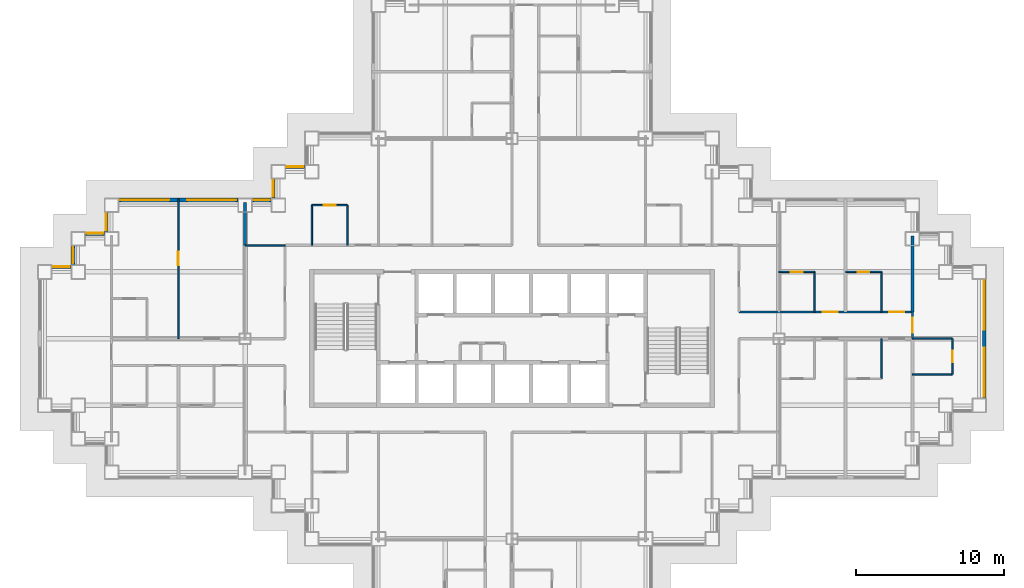
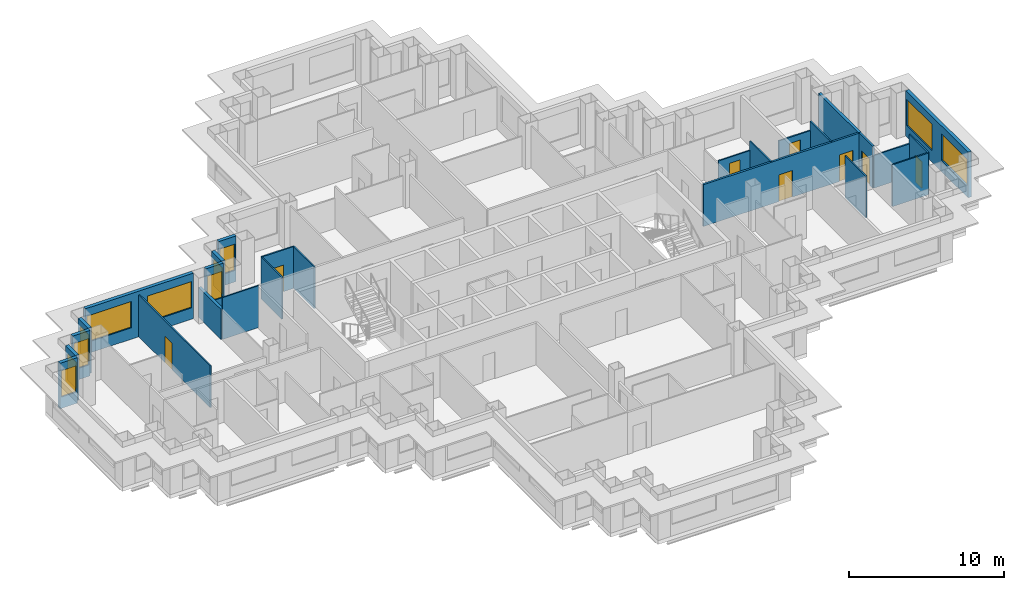
# One storey, part 7 of 15: 26 walls, 11 windows, 8 doors, 19 openings.
"""IFC4 building model written with IfcOpenShell, lengths in metres."""

import ifcopenshell
import ifcopenshell.guid

model = None  # the IFC model being written
_history = None  # IfcOwnerHistory: only IFC2X3 demands one
_inside = {}  # id of a spatial element -> (the spatial element, [elements in it])
_under = {}  # id of a project, library or spatial element -> (it, [spatial elements below it])
_declared = {}  # id of a project -> (the project, [libraries it declares])
_typed = {}  # id of a type object -> (the type object, [elements of that type])
_made_of = {}  # id of a material, layer set ... -> (it, [elements and type objects made of it])


def new_model(schema):
    """Start an empty IFC model of exactly this schema.

    Asked for "IFC4X3", IfcOpenShell would pick the latest addendum, in which some entities
    have other attributes; the version numbers below select the first issue.
    IFC2X3 requires an IfcOwnerHistory on every rooted entity: one is made here for all.
    """
    global model, _history
    if schema == "IFC4X3":
        model = ifcopenshell.file(schema_version=(4, 3, 0, 0))
    else:
        model = ifcopenshell.file(schema=schema)
    _inside.clear()
    _under.clear()
    _declared.clear()
    _typed.clear()
    _made_of.clear()
    _history = None
    if model.schema == "IFC2X3":
        org = make("IfcOrganization", Name="unknown")
        user = make(
            "IfcPersonAndOrganization",
            ThePerson=make("IfcPerson", FamilyName="unknown"),
            TheOrganization=org,
        )
        app = make(
            "IfcApplication",
            ApplicationDeveloper=org,
            Version="unknown",
            ApplicationFullName="unknown",
            ApplicationIdentifier="unknown",
        )
        _history = make(
            "IfcOwnerHistory",
            OwningUser=user,
            OwningApplication=app,
            ChangeAction="ADDED",
            CreationDate=0,
        )
    return model


def make(cls, **values):
    """One entity of the class cls with the attributes given. An attribute that is None is left unset."""
    return model.create_entity(
        cls, **{name: value for name, value in values.items() if value is not None}
    )


def rooted(cls, **values):
    """An entity with a GlobalId (a new one), such as an element, a storey or a relation."""
    return make(cls, GlobalId=ifcopenshell.guid.new(), OwnerHistory=_history, **values)


def si_unit(unit_type, name, prefix=None):
    """IfcSIUnit, for example si_unit("LENGTHUNIT", "METRE", prefix="MILLI")."""
    return make("IfcSIUnit", UnitType=unit_type, Prefix=prefix, Name=name)


def assignment(units):
    """IfcUnitAssignment: the units of a project."""
    return None if units is None else make("IfcUnitAssignment", Units=units)


def point(xyz):
    """IfcCartesianPoint."""
    return None if xyz is None else make("IfcCartesianPoint", Coordinates=xyz)


def direction(xyz):
    """IfcDirection."""
    return None if xyz is None else make("IfcDirection", DirectionRatios=xyz)


def frame(location, z_axis=None, x_axis=None):
    """IfcAxis2Placement3D, a coordinate frame: its origin and axes. An axis left out is left unset."""
    return make(
        "IfcAxis2Placement3D",
        Location=point(location),
        Axis=direction(z_axis),
        RefDirection=direction(x_axis),
    )


def frame_2d(location, x_axis=None):
    """IfcAxis2Placement2D, a coordinate frame in the plane: its origin and x axis."""
    return make(
        "IfcAxis2Placement2D", Location=point(location), RefDirection=direction(x_axis)
    )


def origin():
    """The frame at (0, 0, 0) with its axes left unset."""
    return frame((0.0, 0.0, 0.0))


def place(relative_to, where):
    """IfcLocalPlacement: puts the frame where relative to a parent placement (None: the world)."""
    return make(
        "IfcLocalPlacement", PlacementRelTo=relative_to, RelativePlacement=where
    )


def context(
    kind, dimensions, precision=None, world=None, true_north=None, identifier=None
):
    """IfcGeometricRepresentationContext, for example the 3D "Model" context."""
    return make(
        "IfcGeometricRepresentationContext",
        ContextIdentifier=identifier,
        ContextType=kind,
        CoordinateSpaceDimension=dimensions,
        Precision=precision,
        WorldCoordinateSystem=world,
        TrueNorth=true_north,
    )


def subcontext(parent, identifier, kind, view, scale=None):
    """IfcGeometricRepresentationSubContext, for example "Body" below "Model"."""
    return make(
        "IfcGeometricRepresentationSubContext",
        ContextIdentifier=identifier,
        ContextType=kind,
        ParentContext=parent,
        TargetScale=scale,
        TargetView=view,
    )


def project(units=None, contexts=None):
    """IfcProject with its units and contexts."""
    return rooted(
        "IfcProject",
        Name="project",
        RepresentationContexts=contexts,
        UnitsInContext=assignment(units),
    )


def spatial(cls, under=None, at=None, **own):
    """A site, building, storey or space (cls), placed at a placement, below another one or the project."""
    s = rooted(cls, ObjectPlacement=at, **own)
    if under is not None:
        _under.setdefault(under.id(), (under, []))[1].append(s)
    return s


def profile(cls, at=None, kind="AREA", **sizes):
    """A parametric profile (cls). Its sizes go by their IFC names, for example OverallWidth=200.0."""
    return make(cls, ProfileType=kind, Position=at, **sizes)


def rectangle(**sizes):
    """IfcRectangleProfileDef."""
    return profile("IfcRectangleProfileDef", **sizes)


def extrude(swept, where, along, depth):
    """IfcExtrudedAreaSolid: the profile swept, set in the frame where, extruded along a direction by depth."""
    return make(
        "IfcExtrudedAreaSolid",
        SweptArea=swept,
        Position=where,
        ExtrudedDirection=direction(along),
        Depth=depth,
    )


def shape(context_of_items, identifier, shape_type, items):
    """IfcShapeRepresentation: the items that make up one representation, for example the "Body"."""
    return make(
        "IfcShapeRepresentation",
        ContextOfItems=context_of_items,
        RepresentationIdentifier=identifier,
        RepresentationType=shape_type,
        Items=items,
    )


def material(Name=None, Category=None):
    """IfcMaterial."""
    return make("IfcMaterial", Name=Name, Category=Category)


def layer(
    of_material, thickness, ventilated=None, Name=None, Category=None, Priority=None
):
    """IfcMaterialLayer: one layer of a wall or slab, of a material (None: an air gap)."""
    return make(
        "IfcMaterialLayer",
        Material=of_material,
        LayerThickness=thickness,
        IsVentilated=ventilated,
        Name=Name,
        Category=Category,
        Priority=Priority,
    )


def layer_set(layers, Name=None):
    """IfcMaterialLayerSet."""
    return make("IfcMaterialLayerSet", MaterialLayers=layers, LayerSetName=Name)


def made_of(thing, what):
    """Note that an element or type object is made of a material, layer set ...; save() writes the relation."""
    if what is not None:
        _made_of.setdefault(what.id(), (what, []))[1].append(thing)
    return thing


def type_object(cls, material=None, **own):
    """A type object (cls), such as IfcWallType, which elements share."""
    return made_of(rooted(cls, **own), material)


def element(
    cls,
    number,
    at=None,
    inside=None,
    cuts=None,
    type_object=None,
    material=None,
    context=None,
    identifier="Body",
    shape_type=None,
    held_by="IfcProductDefinitionShape",
    body=None,
    shapes=None,
    **own,
):
    """One element of the class cls, such as IfcWall. Its Tag is "e" and its number.

    at: its placement. inside: the storey or other place that contains it. cuts: it is an
    opening in that element (IfcRelVoidsElement). A single representation is given by context,
    identifier, shape_type and body (its items); several are given by shapes. held_by: the class
    of the entity that holds the representations. save() writes the other relations.
    """
    e = rooted(cls, Tag="e%d" % number, ObjectPlacement=at, **own)
    if body is not None:
        shapes = [shape(context, identifier, shape_type, body)]
    if shapes is not None:
        e.Representation = make(held_by, Representations=shapes)
    if inside is not None:
        _inside.setdefault(inside.id(), (inside, []))[1].append(e)
    if cuts is not None:
        rooted(
            "IfcRelVoidsElement", RelatingBuildingElement=cuts, RelatedOpeningElement=e
        )
    if type_object is not None:
        _typed.setdefault(type_object.id(), (type_object, []))[1].append(e)
    return made_of(e, material)


def fill(opening, filler):
    """IfcRelFillsElement: the door or window that sits in an opening."""
    return rooted(
        "IfcRelFillsElement",
        RelatingOpeningElement=opening,
        RelatedBuildingElement=filler,
    )


def aggregate(whole, parts):
    """IfcRelAggregates: a whole, such as a stair, and the parts it consists of."""
    return rooted("IfcRelAggregates", RelatingObject=whole, RelatedObjects=parts)


def save(model, path):
    """Write the relations noted so far, then the file.

    IfcRelAggregates (storeys below a building ...), IfcRelContainedInSpatialStructure (elements
    in a storey), IfcRelDefinesByType, IfcRelAssociatesMaterial and IfcRelDeclares: one each for
    every whole, place, type object, material and project.
    """
    for whole, parts in _under.values():
        aggregate(whole, parts)
    for where, things in _inside.values():
        rooted(
            "IfcRelContainedInSpatialStructure",
            RelatedElements=things,
            RelatingStructure=where,
        )
    for kind, things in _typed.values():
        rooted("IfcRelDefinesByType", RelatedObjects=things, RelatingType=kind)
    for what, things in _made_of.values():
        rooted("IfcRelAssociatesMaterial", RelatedObjects=things, RelatingMaterial=what)
    for by, libraries in _declared.values():
        rooted("IfcRelDeclares", RelatingContext=by, RelatedDefinitions=libraries)
    model.write(path)


model = new_model("IFC4")

# Units and contexts
model_context = context("Model", 3, precision=1e-05, world=origin(), true_north=direction((0.0, 1.0)))
body_context = subcontext(model_context, "Body", "Model", "MODEL_VIEW")
ifc_project = project(units=[si_unit("LENGTHUNIT", "METRE"), si_unit("AREAUNIT", "SQUARE_METRE"), si_unit("VOLUMEUNIT", "CUBIC_METRE"), si_unit("PLANEANGLEUNIT", "RADIAN"), si_unit("MASSUNIT", "GRAM", prefix="KILO")], contexts=[model_context])

# Site, building, storey
site_placement = place(None, origin())
site = spatial("IfcSite", under=ifc_project, at=site_placement, CompositionType="ELEMENT")
building_placement = place(site_placement, origin())
building = spatial("IfcBuilding", under=site, at=building_placement, Name="Caravel Reach Hotel and Residences", CompositionType="ELEMENT")
storey_placement = place(building_placement, frame((0.0, 0.0, 78.0)))
storey = spatial("IfcBuildingStorey", under=building, at=storey_placement, Name="L18", CompositionType="ELEMENT", Elevation=78.0)

# Walls
ifc_material_1 = material(Name="Gypsum board on steel stud", Category="steel")
ifc_layer_1 = layer(ifc_material_1, 0.10009765625)
ifc_layer_set_1 = layer_set([ifc_layer_1], Name="Bathroom pod wall 100 mm")
wall_type_1 = type_object("IfcWallType", Name="Bathroom pod wall 100 mm", PredefinedType="PARTITIONING", material=ifc_layer_set_1)
wall_1_placement = place(storey_placement, frame((58.5, 24.60009765625, 0.0), z_axis=(0.0, 0.0, 1.0), x_axis=(1.0, 0.0, 0.0)))
element("IfcWall", 1, at=wall_1_placement, inside=storey, type_object=wall_type_1, Name="L18 wall w090", PredefinedType="PARTITIONING", context=body_context, shape_type="SweptSolid", body=[
    extrude(rectangle(XDim=2.699951171875, YDim=0.10009765625, at=frame_2d((1.35009765625, 0.0))), origin(), (0.0, 0.0, 1.0), 3.300048828125),
])
wall_2_placement = place(storey_placement, frame((58.5, 27.0, 0.0), z_axis=(0.0, 0.0, 1.0), x_axis=(1.0, 0.0, 0.0)))
element("IfcWall", 2, at=wall_2_placement, inside=storey, type_object=wall_type_1, Name="L18 wall w091", PredefinedType="PARTITIONING", context=body_context, shape_type="SweptSolid", body=[
    extrude(rectangle(XDim=2.699951171875, YDim=0.10009765625, at=frame_2d((1.35009765625, 0.0))), origin(), (0.0, 0.0, 1.0), 2.580078125),
])

# Wall, opening, door
wall_3_placement = place(storey_placement, frame((49.5, 31.5, 0.0), z_axis=(0.0, 0.0, 1.0), x_axis=(1.0, 0.0, 0.0)))
wall_3 = element("IfcWall", 3, at=wall_3_placement, inside=storey, type_object=wall_type_1, Name="L18 wall w093", PredefinedType="PARTITIONING", context=body_context, shape_type="SweptSolid", body=[
    extrude(rectangle(XDim=2.39990234375, YDim=0.10009765625, at=frame_2d((1.199951171875, 0.0))), origin(), (0.0, 0.0, 1.0), 2.580078125),
])
opening_1_placement = place(wall_3_placement, frame((0.800048828125, 0.0, 0.0)))
opening_1 = element("IfcOpeningElement", 4, at=opening_1_placement, cuts=wall_3, Name="Opening D18-028", PredefinedType="OPENING", context=body_context, shape_type="SweptSolid", body=[
    extrude(rectangle(XDim=0.800048828125, YDim=2.10009765625, at=frame_2d((0.39990234375, 1.050048828125))), frame((0.0, 0.06005859375, 0.0), z_axis=(0.0, -1.0, 0.0), x_axis=(1.0, 0.0, 0.0)), (0.0, 0.0, 1.0), 0.1201171875),
])
ifc_material_2 = material(Name="Timber and steel door leaf", Category="steel")
door_type_1 = type_object("IfcDoorType", Name="Bathroom door 800 x 2100", OperationType="SINGLE_SWING_LEFT", PredefinedType="DOOR", material=ifc_material_2)
door_1_placement = place(opening_1_placement, origin())
door_1 = element("IfcDoor", 5, at=door_1_placement, inside=storey, type_object=door_type_1, Name="door D18-028", OperationType="SINGLE_SWING_RIGHT", OverallHeight=2.10009765625, OverallWidth=0.800048828125, PredefinedType="DOOR", context=body_context, shape_type="SweptSolid", body=[
    extrude(rectangle(XDim=0.800048828125, YDim=2.10009765625, at=frame_2d((0.39990234375, 1.050048828125))), frame((0.0, 0.02490234375, 0.0), z_axis=(0.0, -1.0, 0.0), x_axis=(1.0, 0.0, 0.0)), (0.0, 0.0, 1.0), 0.050048828125),
])
fill(opening_1, door_1)

wall_4_placement = place(storey_placement, frame((54.0, 31.5, 0.0), z_axis=(0.0, 0.0, 1.0), x_axis=(1.0, 0.0, 0.0)))
wall_4 = element("IfcWall", 6, at=wall_4_placement, inside=storey, type_object=wall_type_1, Name="L18 wall w094", PredefinedType="PARTITIONING", context=body_context, shape_type="SweptSolid", body=[
    extrude(rectangle(XDim=2.39990234375, YDim=0.10009765625, at=frame_2d((1.199951171875, 0.0))), origin(), (0.0, 0.0, 1.0), 2.580078125),
])
opening_2_placement = place(wall_4_placement, frame((0.800048828125, 0.0, 0.0)))
opening_2 = element("IfcOpeningElement", 7, at=opening_2_placement, cuts=wall_4, Name="Opening D18-030", PredefinedType="OPENING", context=body_context, shape_type="SweptSolid", body=[
    extrude(rectangle(XDim=0.800048828125, YDim=2.10009765625, at=frame_2d((0.39990234375, 1.050048828125))), frame((0.0, 0.06005859375, 0.0), z_axis=(0.0, -1.0, 0.0), x_axis=(1.0, 0.0, 0.0)), (0.0, 0.0, 1.0), 0.1201171875),
])
door_2_placement = place(opening_2_placement, origin())
door_2 = element("IfcDoor", 8, at=door_2_placement, inside=storey, type_object=door_type_1, Name="door D18-030", OperationType="SINGLE_SWING_RIGHT", OverallHeight=2.10009765625, OverallWidth=0.800048828125, PredefinedType="DOOR", context=body_context, shape_type="SweptSolid", body=[
    extrude(rectangle(XDim=0.800048828125, YDim=2.10009765625, at=frame_2d((0.39990234375, 1.050048828125))), frame((0.0, 0.02490234375, 0.0), z_axis=(0.0, -1.0, 0.0), x_axis=(1.0, 0.0, 0.0)), (0.0, 0.0, 1.0), 0.050048828125),
])
fill(opening_2, door_2)

wall_5_placement = place(storey_placement, frame((18.0, 36.0, 0.0), z_axis=(0.0, 0.0, 1.0), x_axis=(1.0, 0.0, 0.0)))
wall_5 = element("IfcWall", 9, at=wall_5_placement, inside=storey, type_object=wall_type_1, Name="L18 wall w095", PredefinedType="PARTITIONING", context=body_context, shape_type="SweptSolid", body=[
    extrude(rectangle(XDim=2.39990234375, YDim=0.10009765625, at=frame_2d((1.199951171875, 0.0))), origin(), (0.0, 0.0, 1.0), 3.300048828125),
])
opening_3_placement = place(wall_5_placement, frame((0.800048828125, 0.0, 0.0)))
opening_3 = element("IfcOpeningElement", 10, at=opening_3_placement, cuts=wall_5, Name="Opening D18-048", PredefinedType="OPENING", context=body_context, shape_type="SweptSolid", body=[
    extrude(rectangle(XDim=0.800048828125, YDim=2.10009765625, at=frame_2d((0.39990234375, 1.050048828125))), frame((0.0, 0.06005859375, 0.0), z_axis=(0.0, -1.0, 0.0), x_axis=(1.0, 0.0, 0.0)), (0.0, 0.0, 1.0), 0.1201171875),
])
door_3_placement = place(opening_3_placement, origin())
door_3 = element("IfcDoor", 11, at=door_3_placement, inside=storey, type_object=door_type_1, Name="door D18-048", OperationType="SINGLE_SWING_RIGHT", OverallHeight=2.10009765625, OverallWidth=0.800048828125, PredefinedType="DOOR", context=body_context, shape_type="SweptSolid", body=[
    extrude(rectangle(XDim=0.800048828125, YDim=2.10009765625, at=frame_2d((0.39990234375, 1.050048828125))), frame((0.0, 0.02490234375, 0.0), z_axis=(0.0, -1.0, 0.0), x_axis=(1.0, 0.0, 0.0)), (0.0, 0.0, 1.0), 0.050048828125),
])
fill(opening_3, door_3)

# Walls
for number, where, z_axis, x_axis, name in (
    (12, (18.0, 33.300048828125, 0.0), (0.0, 0.0, 1.0), (0.0, 1.0, 0.0), "L18 wall w101"),
    (13, (20.39990234375, 33.300048828125, 0.0), (0.0, 0.0, 1.0), (0.0, 1.0, 0.0), "L18 wall w102"),
    (14, (51.89990234375, 28.800048828125, 0.0), (0.0, 0.0, 1.0), (0.0, 1.0, 0.0), "L18 wall w111"),
    (15, (56.39990234375, 28.800048828125, 0.0), (0.0, 0.0, 1.0), (0.0, 1.0, 0.0), "L18 wall w113"),
    (16, (56.39990234375, 24.300048828125, 0.0), (0.0, 0.0, 1.0), (0.0, 1.0, 0.0), "L18 wall w114"),
):
    element("IfcWall", number, at=place(storey_placement, frame(where, z_axis=z_axis, x_axis=x_axis)), inside=storey, type_object=wall_type_1, Name=name, PredefinedType="PARTITIONING", context=body_context, shape_type="SweptSolid", body=[
        extrude(rectangle(XDim=2.699951171875, YDim=0.10009765625, at=frame_2d((1.35009765625, 0.0))), origin(), (0.0, 0.0, 1.0), 3.300048828125),
    ])

# Wall, opening, door
wall_6_placement = place(storey_placement, frame((61.199951171875, 24.60009765625, 0.0), z_axis=(0.0, 0.0, 1.0), x_axis=(0.0, 1.0, 0.0)))
wall_6 = element("IfcWall", 17, at=wall_6_placement, inside=storey, type_object=wall_type_1, Name="L18 wall w117", PredefinedType="PARTITIONING", context=body_context, shape_type="SweptSolid", body=[
    extrude(rectangle(XDim=2.39990234375, YDim=0.10009765625, at=frame_2d((1.199951171875, 0.0))), origin(), (0.0, 0.0, 1.0), 3.300048828125),
])
opening_4_placement = place(wall_6_placement, frame((0.800048828125, 0.0, 0.0)))
opening_4 = element("IfcOpeningElement", 18, at=opening_4_placement, cuts=wall_6, Name="Opening D18-044", PredefinedType="OPENING", context=body_context, shape_type="SweptSolid", body=[
    extrude(rectangle(XDim=0.800048828125, YDim=2.10009765625, at=frame_2d((0.39990234375, 1.050048828125))), frame((0.0, 0.06005859375, 0.0), z_axis=(0.0, -1.0, 0.0), x_axis=(1.0, 0.0, 0.0)), (0.0, 0.0, 1.0), 0.1201171875),
])
door_4_placement = place(opening_4_placement, origin())
door_4 = element("IfcDoor", 19, at=door_4_placement, inside=storey, type_object=door_type_1, Name="door D18-044", OperationType="SINGLE_SWING_LEFT", OverallHeight=2.10009765625, OverallWidth=0.800048828125, PredefinedType="DOOR", context=body_context, shape_type="SweptSolid", body=[
    extrude(rectangle(XDim=0.800048828125, YDim=2.10009765625, at=frame_2d((0.39990234375, 1.050048828125))), frame((0.0, 0.02490234375, 0.0), z_axis=(0.0, -1.0, 0.0), x_axis=(1.0, 0.0, 0.0)), (0.0, 0.0, 1.0), 0.050048828125),
])
fill(opening_4, door_4)

# Wall, openings, doors
ifc_material_3 = material(Name="Gypsum board on steel stud, fire-rated", Category="steel")
ifc_layer_2 = layer(ifc_material_3, 0.14990234375)
ifc_layer_set_2 = layer_set([ifc_layer_2], Name="Corridor wall 150 mm EI 60")
wall_type_2 = type_object("IfcWallType", Name="Corridor wall 150 mm EI 60", PredefinedType="PARTITIONING", material=ifc_layer_set_2)
wall_7_placement = place(storey_placement, frame((46.800048828125, 28.800048828125, 0.0), z_axis=(0.0, 0.0, 1.0), x_axis=(1.0, 0.0, 0.0)))
wall_7 = element("IfcWall", 20, at=wall_7_placement, inside=storey, type_object=wall_type_2, Name="L18 wall w018", PredefinedType="PARTITIONING", context=body_context, shape_type="SweptSolid", body=[
    extrude(rectangle(XDim=11.699951171875, YDim=0.14990234375, at=frame_2d((5.85009765625, 0.0))), origin(), (0.0, 0.0, 1.0), 3.300048828125),
])
opening_5_placement = place(wall_7_placement, frame((5.64990234375, 0.0, 0.0)))
opening_5 = element("IfcOpeningElement", 21, at=opening_5_placement, cuts=wall_7, Name="Opening D18-027", PredefinedType="OPENING", context=body_context, shape_type="SweptSolid", body=[
    extrude(rectangle(XDim=1.0, YDim=2.10009765625, at=frame_2d((0.5, 1.050048828125))), frame((0.0, 0.0849609375, 0.0), z_axis=(0.0, -1.0, 0.0), x_axis=(1.0, 0.0, 0.0)), (0.0, 0.0, 1.0), 0.169921875),
])
opening_6_placement = place(wall_7_placement, frame((10.14990234375, 0.0, 0.0)))
opening_6 = element("IfcOpeningElement", 22, at=opening_6_placement, cuts=wall_7, Name="Opening D18-029", PredefinedType="OPENING", context=body_context, shape_type="SweptSolid", body=[
    extrude(rectangle(XDim=1.0, YDim=2.10009765625, at=frame_2d((0.5, 1.050048828125))), frame((0.0, 0.0849609375, 0.0), z_axis=(0.0, -1.0, 0.0), x_axis=(1.0, 0.0, 0.0)), (0.0, 0.0, 1.0), 0.169921875),
])
ifc_material_4 = material(Name="Steel fire door leaf", Category="steel")
door_type_2 = type_object("IfcDoorType", Name="Guest room door 1000 x 2100 EI 30", OperationType="SINGLE_SWING_LEFT", PredefinedType="DOOR", material=ifc_material_4)
door_5_placement = place(opening_5_placement, origin())
door_5 = element("IfcDoor", 23, at=door_5_placement, inside=storey, type_object=door_type_2, Name="door D18-027", OperationType="SINGLE_SWING_RIGHT", OverallHeight=2.10009765625, OverallWidth=1.0, PredefinedType="DOOR", context=body_context, shape_type="SweptSolid", body=[
    extrude(rectangle(XDim=1.0, YDim=2.10009765625, at=frame_2d((0.5, 1.050048828125))), frame((0.0, 0.02490234375, 0.0), z_axis=(0.0, -1.0, 0.0), x_axis=(1.0, 0.0, 0.0)), (0.0, 0.0, 1.0), 0.050048828125),
])
fill(opening_5, door_5)
door_6_placement = place(opening_6_placement, origin())
door_6 = element("IfcDoor", 24, at=door_6_placement, inside=storey, type_object=door_type_2, Name="door D18-029", OperationType="SINGLE_SWING_RIGHT", OverallHeight=2.10009765625, OverallWidth=1.0, PredefinedType="DOOR", context=body_context, shape_type="SweptSolid", body=[
    extrude(rectangle(XDim=1.0, YDim=2.10009765625, at=frame_2d((0.5, 1.050048828125))), frame((0.0, 0.02490234375, 0.0), z_axis=(0.0, -1.0, 0.0), x_axis=(1.0, 0.0, 0.0)), (0.0, 0.0, 1.0), 0.050048828125),
])
fill(opening_6, door_6)

# Wall, opening, door
wall_8_placement = place(storey_placement, frame((58.5, 27.0, 0.0), z_axis=(0.0, 0.0, 1.0), x_axis=(0.0, 1.0, 0.0)))
wall_8 = element("IfcWall", 25, at=wall_8_placement, inside=storey, type_object=wall_type_2, Name="L18 wall w042", PredefinedType="PARTITIONING", context=body_context, shape_type="SweptSolid", body=[
    extrude(rectangle(XDim=1.800048828125, YDim=0.14990234375, at=frame_2d((0.89990234375, 0.0))), origin(), (0.0, 0.0, 1.0), 3.300048828125),
])
opening_7_placement = place(wall_8_placement, frame((0.39990234375, 0.0, 0.0)))
opening_7 = element("IfcOpeningElement", 26, at=opening_7_placement, cuts=wall_8, Name="Opening D18-043", PredefinedType="OPENING", context=body_context, shape_type="SweptSolid", body=[
    extrude(rectangle(XDim=1.0, YDim=2.10009765625, at=frame_2d((0.5, 1.050048828125))), frame((0.0, 0.0849609375, 0.0), z_axis=(0.0, -1.0, 0.0), x_axis=(1.0, 0.0, 0.0)), (0.0, 0.0, 1.0), 0.169921875),
])
door_7_placement = place(opening_7_placement, origin())
door_7 = element("IfcDoor", 27, at=door_7_placement, inside=storey, type_object=door_type_2, Name="door D18-043", OperationType="SINGLE_SWING_LEFT", OverallHeight=2.10009765625, OverallWidth=1.0, PredefinedType="DOOR", context=body_context, shape_type="SweptSolid", body=[
    extrude(rectangle(XDim=1.0, YDim=2.10009765625, at=frame_2d((0.5, 1.050048828125))), frame((0.0, 0.02490234375, 0.0), z_axis=(0.0, -1.0, 0.0), x_axis=(1.0, 0.0, 0.0)), (0.0, 0.0, 1.0), 0.050048828125),
])
fill(opening_7, door_7)

# Wall, openings, windows
ifc_material_5 = material(Name="Insulated rainscreen wall, aluminium cladding", Category="aluminium")
ifc_layer_3 = layer(ifc_material_5, 0.25)
ifc_layer_set_3 = layer_set([ifc_layer_3], Name="EW1 Tower rainscreen wall")
wall_type_3 = type_object("IfcWallType", Name="EW1 Tower rainscreen wall", PredefinedType="SOLIDWALL", material=ifc_layer_set_3)
wall_9_placement = place(storey_placement, frame((63.35009765625, 22.97509765625, 0.0), z_axis=(0.0, 0.0, 1.0), x_axis=(0.0, 1.0, 0.0)))
wall_9 = element("IfcWall", 28, at=wall_9_placement, inside=storey, type_object=wall_type_3, Name="External wall L18 E20.1", PredefinedType="SOLIDWALL", context=body_context, shape_type="SweptSolid", body=[
    extrude(rectangle(XDim=8.0498046875, YDim=0.25, at=frame_2d((4.02490234375, 0.0))), origin(), (0.0, 0.0, 1.0), 3.60009765625),
])
opening_8_placement = place(wall_9_placement, frame((0.125, 0.0, 0.89990234375)))
opening_8 = element("IfcOpeningElement", 29, at=opening_8_placement, cuts=wall_9, Name="Opening WN4", PredefinedType="OPENING", context=body_context, shape_type="SweptSolid", body=[
    extrude(rectangle(XDim=3.300048828125, YDim=2.080078125, at=frame_2d((1.64990234375, 1.0400390625))), frame((0.0, 0.135009765625, 0.0), z_axis=(0.0, -1.0, 0.0), x_axis=(1.0, 0.0, 0.0)), (0.0, 0.0, 1.0), 0.27001953125),
])
opening_9_placement = place(wall_9_placement, frame((4.625, 0.0, 0.89990234375)))
opening_9 = element("IfcOpeningElement", 30, at=opening_9_placement, cuts=wall_9, Name="Opening WN4", PredefinedType="OPENING", context=body_context, shape_type="SweptSolid", body=[
    extrude(rectangle(XDim=3.300048828125, YDim=2.080078125, at=frame_2d((1.64990234375, 1.0400390625))), frame((0.0, 0.135009765625, 0.0), z_axis=(0.0, -1.0, 0.0), x_axis=(1.0, 0.0, 0.0)), (0.0, 0.0, 1.0), 0.27001953125),
])
ifc_material_6 = material(Name="Dark low-e glazing in black aluminium frame", Category="aluminium")
window_type_1 = type_object("IfcWindowType", Name="Hotel guest room window 3300 x 2080", PartitioningType="SINGLE_PANEL", PredefinedType="WINDOW", material=ifc_material_6)
window_1_placement = place(opening_8_placement, origin())
window_1 = element("IfcWindow", 31, at=window_1_placement, inside=storey, type_object=window_type_1, Name="Window L18 E20.1.1", OverallHeight=2.080078125, OverallWidth=3.300048828125, PartitioningType="SINGLE_PANEL", PredefinedType="WINDOW", context=body_context, shape_type="SweptSolid", body=[
    extrude(rectangle(XDim=3.300048828125, YDim=2.080078125, at=frame_2d((1.64990234375, 1.0400390625))), frame((0.0, 0.030029296875, 0.0), z_axis=(0.0, -1.0, 0.0), x_axis=(1.0, 0.0, 0.0)), (0.0, 0.0, 1.0), 0.06005859375),
])
fill(opening_8, window_1)
window_2_placement = place(opening_9_placement, origin())
window_2 = element("IfcWindow", 32, at=window_2_placement, inside=storey, type_object=window_type_1, Name="Window L18 E20.1.2", OverallHeight=2.080078125, OverallWidth=3.300048828125, PartitioningType="SINGLE_PANEL", PredefinedType="WINDOW", context=body_context, shape_type="SweptSolid", body=[
    extrude(rectangle(XDim=3.300048828125, YDim=2.080078125, at=frame_2d((1.64990234375, 1.0400390625))), frame((0.0, 0.030029296875, 0.0), z_axis=(0.0, -1.0, 0.0), x_axis=(1.0, 0.0, 0.0)), (0.0, 0.0, 1.0), 0.06005859375),
])
fill(opening_9, window_2)

# Wall, opening, window
wall_10_placement = place(storey_placement, frame((17.52490234375, 38.60009765625, 0.0), z_axis=(0.0, 0.0, 1.0), x_axis=(-1.0, 0.0, 0.0)))
wall_10 = element("IfcWall", 33, at=wall_10_placement, inside=storey, type_object=wall_type_3, Name="External wall L18 N43.1", PredefinedType="SOLIDWALL", context=body_context, shape_type="SweptSolid", body=[
    extrude(rectangle(XDim=1.2998046875, YDim=0.25, at=frame_2d((0.64990234375, 0.0))), origin(), (0.0, 0.0, 1.0), 3.60009765625),
])
opening_10_placement = place(wall_10_placement, frame((0.10009765625, 0.0, 0.89990234375)))
opening_10 = element("IfcOpeningElement", 34, at=opening_10_placement, cuts=wall_10, Name="Opening WN5", PredefinedType="OPENING", context=body_context, shape_type="SweptSolid", body=[
    extrude(rectangle(XDim=1.10009765625, YDim=2.080078125, at=frame_2d((0.550048828125, 1.0400390625))), frame((0.0, 0.135009765625, 0.0), z_axis=(0.0, -1.0, 0.0), x_axis=(1.0, 0.0, 0.0)), (0.0, 0.0, 1.0), 0.27001953125),
])
ifc_material_7 = material(Name="Dark low-e glazing in black aluminium frame", Category="aluminium")
window_type_2 = type_object("IfcWindowType", Name="Hotel suite corner window 1100 x 2080", PartitioningType="SINGLE_PANEL", PredefinedType="WINDOW", material=ifc_material_7)
window_3_placement = place(opening_10_placement, origin())
window_3 = element("IfcWindow", 35, at=window_3_placement, inside=storey, type_object=window_type_2, Name="Window L18 N43.1.1", OverallHeight=2.080078125, OverallWidth=1.10009765625, PartitioningType="SINGLE_PANEL", PredefinedType="WINDOW", context=body_context, shape_type="SweptSolid", body=[
    extrude(rectangle(XDim=1.10009765625, YDim=2.080078125, at=frame_2d((0.550048828125, 1.0400390625))), frame((0.0, 0.030029296875, 0.0), z_axis=(0.0, -1.0, 0.0), x_axis=(1.0, 0.0, 0.0)), (0.0, 0.0, 1.0), 0.06005859375),
])
fill(opening_10, window_3)

wall_11_placement = place(storey_placement, frame((15.39990234375, 37.77490234375, 0.0), z_axis=(0.0, 0.0, 1.0), x_axis=(0.0, -1.0, 0.0)))
wall_11 = element("IfcWall", 36, at=wall_11_placement, inside=storey, type_object=wall_type_3, Name="External wall L18 W44.1", PredefinedType="SOLIDWALL", context=body_context, shape_type="SweptSolid", body=[
    extrude(rectangle(XDim=1.2998046875, YDim=0.25, at=frame_2d((0.64990234375, 0.0))), origin(), (0.0, 0.0, 1.0), 3.60009765625),
])
opening_11_placement = place(wall_11_placement, frame((0.10009765625, 0.0, 0.89990234375)))
opening_11 = element("IfcOpeningElement", 37, at=opening_11_placement, cuts=wall_11, Name="Opening WN5", PredefinedType="OPENING", context=body_context, shape_type="SweptSolid", body=[
    extrude(rectangle(XDim=1.10009765625, YDim=2.080078125, at=frame_2d((0.550048828125, 1.0400390625))), frame((0.0, 0.135009765625, 0.0), z_axis=(0.0, -1.0, 0.0), x_axis=(1.0, 0.0, 0.0)), (0.0, 0.0, 1.0), 0.27001953125),
])
window_4_placement = place(opening_11_placement, origin())
window_4 = element("IfcWindow", 38, at=window_4_placement, inside=storey, type_object=window_type_2, Name="Window L18 W44.1.1", OverallHeight=2.080078125, OverallWidth=1.10009765625, PartitioningType="SINGLE_PANEL", PredefinedType="WINDOW", context=body_context, shape_type="SweptSolid", body=[
    extrude(rectangle(XDim=1.10009765625, YDim=2.080078125, at=frame_2d((0.550048828125, 1.0400390625))), frame((0.0, 0.030029296875, 0.0), z_axis=(0.0, -1.0, 0.0), x_axis=(1.0, 0.0, 0.0)), (0.0, 0.0, 1.0), 0.06005859375),
])
fill(opening_11, window_4)

wall_12_placement = place(storey_placement, frame((15.27490234375, 36.35009765625, 0.0), z_axis=(0.0, 0.0, 1.0), x_axis=(-1.0, 0.0, 0.0)))
wall_12 = element("IfcWall", 39, at=wall_12_placement, inside=storey, type_object=wall_type_3, Name="External wall L18 N45.1", PredefinedType="SOLIDWALL", context=body_context, shape_type="SweptSolid", body=[
    extrude(rectangle(XDim=1.2998046875, YDim=0.25, at=frame_2d((0.64990234375, 0.0))), origin(), (0.0, 0.0, 1.0), 3.60009765625),
])
opening_12_placement = place(wall_12_placement, frame((0.10009765625, 0.0, 0.89990234375)))
opening_12 = element("IfcOpeningElement", 40, at=opening_12_placement, cuts=wall_12, Name="Opening WN5", PredefinedType="OPENING", context=body_context, shape_type="SweptSolid", body=[
    extrude(rectangle(XDim=1.10009765625, YDim=2.080078125, at=frame_2d((0.550048828125, 1.0400390625))), frame((0.0, 0.135009765625, 0.0), z_axis=(0.0, -1.0, 0.0), x_axis=(1.0, 0.0, 0.0)), (0.0, 0.0, 1.0), 0.27001953125),
])
window_5_placement = place(opening_12_placement, origin())
window_5 = element("IfcWindow", 41, at=window_5_placement, inside=storey, type_object=window_type_2, Name="Window L18 N45.1.1", OverallHeight=2.080078125, OverallWidth=1.10009765625, PartitioningType="SINGLE_PANEL", PredefinedType="WINDOW", context=body_context, shape_type="SweptSolid", body=[
    extrude(rectangle(XDim=1.10009765625, YDim=2.080078125, at=frame_2d((0.550048828125, 1.0400390625))), frame((0.0, 0.030029296875, 0.0), z_axis=(0.0, -1.0, 0.0), x_axis=(1.0, 0.0, 0.0)), (0.0, 0.0, 1.0), 0.06005859375),
])
fill(opening_12, window_5)

# Wall, openings, windows
wall_13_placement = place(storey_placement, frame((13.02490234375, 36.35009765625, 0.0), z_axis=(0.0, 0.0, 1.0), x_axis=(-1.0, 0.0, 0.0)))
wall_13 = element("IfcWall", 42, at=wall_13_placement, inside=storey, type_object=wall_type_3, Name="External wall L18 N45.2", PredefinedType="SOLIDWALL", context=body_context, shape_type="SweptSolid", body=[
    extrude(rectangle(XDim=8.0498046875, YDim=0.25, at=frame_2d((4.02490234375, 0.0))), origin(), (0.0, 0.0, 1.0), 3.60009765625),
])
opening_13_placement = place(wall_13_placement, frame((0.125, 0.0, 0.89990234375)))
opening_13 = element("IfcOpeningElement", 43, at=opening_13_placement, cuts=wall_13, Name="Opening WN4", PredefinedType="OPENING", context=body_context, shape_type="SweptSolid", body=[
    extrude(rectangle(XDim=3.300048828125, YDim=2.080078125, at=frame_2d((1.64990234375, 1.0400390625))), frame((0.0, 0.135009765625, 0.0), z_axis=(0.0, -1.0, 0.0), x_axis=(1.0, 0.0, 0.0)), (0.0, 0.0, 1.0), 0.27001953125),
])
opening_14_placement = place(wall_13_placement, frame((4.625, 0.0, 0.89990234375)))
opening_14 = element("IfcOpeningElement", 44, at=opening_14_placement, cuts=wall_13, Name="Opening WN4", PredefinedType="OPENING", context=body_context, shape_type="SweptSolid", body=[
    extrude(rectangle(XDim=3.300048828125, YDim=2.080078125, at=frame_2d((1.64990234375, 1.0400390625))), frame((0.0, 0.135009765625, 0.0), z_axis=(0.0, -1.0, 0.0), x_axis=(1.0, 0.0, 0.0)), (0.0, 0.0, 1.0), 0.27001953125),
])
window_6_placement = place(opening_13_placement, origin())
window_6 = element("IfcWindow", 45, at=window_6_placement, inside=storey, type_object=window_type_1, Name="Window L18 N45.2.1", OverallHeight=2.080078125, OverallWidth=3.300048828125, PartitioningType="SINGLE_PANEL", PredefinedType="WINDOW", context=body_context, shape_type="SweptSolid", body=[
    extrude(rectangle(XDim=3.300048828125, YDim=2.080078125, at=frame_2d((1.64990234375, 1.0400390625))), frame((0.0, 0.030029296875, 0.0), z_axis=(0.0, -1.0, 0.0), x_axis=(1.0, 0.0, 0.0)), (0.0, 0.0, 1.0), 0.06005859375),
])
fill(opening_13, window_6)
window_7_placement = place(opening_14_placement, origin())
window_7 = element("IfcWindow", 46, at=window_7_placement, inside=storey, type_object=window_type_1, Name="Window L18 N45.2.2", OverallHeight=2.080078125, OverallWidth=3.300048828125, PartitioningType="SINGLE_PANEL", PredefinedType="WINDOW", context=body_context, shape_type="SweptSolid", body=[
    extrude(rectangle(XDim=3.300048828125, YDim=2.080078125, at=frame_2d((1.64990234375, 1.0400390625))), frame((0.0, 0.030029296875, 0.0), z_axis=(0.0, -1.0, 0.0), x_axis=(1.0, 0.0, 0.0)), (0.0, 0.0, 1.0), 0.06005859375),
])
fill(opening_14, window_7)

# Wall, opening, window
wall_14_placement = place(storey_placement, frame((4.14990234375, 35.52490234375, 0.0), z_axis=(0.0, 0.0, 1.0), x_axis=(0.0, -1.0, 0.0)))
wall_14 = element("IfcWall", 47, at=wall_14_placement, inside=storey, type_object=wall_type_3, Name="External wall L18 W46.1", PredefinedType="SOLIDWALL", context=body_context, shape_type="SweptSolid", body=[
    extrude(rectangle(XDim=1.2998046875, YDim=0.25, at=frame_2d((0.64990234375, 0.0))), origin(), (0.0, 0.0, 1.0), 3.60009765625),
])
opening_15_placement = place(wall_14_placement, frame((0.10009765625, 0.0, 0.89990234375)))
opening_15 = element("IfcOpeningElement", 48, at=opening_15_placement, cuts=wall_14, Name="Opening WN5", PredefinedType="OPENING", context=body_context, shape_type="SweptSolid", body=[
    extrude(rectangle(XDim=1.10009765625, YDim=2.080078125, at=frame_2d((0.550048828125, 1.0400390625))), frame((0.0, 0.135009765625, 0.0), z_axis=(0.0, -1.0, 0.0), x_axis=(1.0, 0.0, 0.0)), (0.0, 0.0, 1.0), 0.27001953125),
])
window_8_placement = place(opening_15_placement, origin())
window_8 = element("IfcWindow", 49, at=window_8_placement, inside=storey, type_object=window_type_2, Name="Window L18 W46.1.1", OverallHeight=2.080078125, OverallWidth=1.10009765625, PartitioningType="SINGLE_PANEL", PredefinedType="WINDOW", context=body_context, shape_type="SweptSolid", body=[
    extrude(rectangle(XDim=1.10009765625, YDim=2.080078125, at=frame_2d((0.550048828125, 1.0400390625))), frame((0.0, 0.030029296875, 0.0), z_axis=(0.0, -1.0, 0.0), x_axis=(1.0, 0.0, 0.0)), (0.0, 0.0, 1.0), 0.06005859375),
])
fill(opening_15, window_8)

wall_15_placement = place(storey_placement, frame((4.02490234375, 34.10009765625, 0.0), z_axis=(0.0, 0.0, 1.0), x_axis=(-1.0, 0.0, 0.0)))
wall_15 = element("IfcWall", 50, at=wall_15_placement, inside=storey, type_object=wall_type_3, Name="External wall L18 N47.1", PredefinedType="SOLIDWALL", context=body_context, shape_type="SweptSolid", body=[
    extrude(rectangle(XDim=1.2998046875, YDim=0.25, at=frame_2d((0.64990234375, 0.0))), origin(), (0.0, 0.0, 1.0), 3.60009765625),
])
opening_16_placement = place(wall_15_placement, frame((0.10009765625, 0.0, 0.89990234375)))
opening_16 = element("IfcOpeningElement", 51, at=opening_16_placement, cuts=wall_15, Name="Opening WN5", PredefinedType="OPENING", context=body_context, shape_type="SweptSolid", body=[
    extrude(rectangle(XDim=1.10009765625, YDim=2.080078125, at=frame_2d((0.550048828125, 1.0400390625))), frame((0.0, 0.135009765625, 0.0), z_axis=(0.0, -1.0, 0.0), x_axis=(1.0, 0.0, 0.0)), (0.0, 0.0, 1.0), 0.27001953125),
])
window_9_placement = place(opening_16_placement, origin())
window_9 = element("IfcWindow", 52, at=window_9_placement, inside=storey, type_object=window_type_2, Name="Window L18 N47.1.1", OverallHeight=2.080078125, OverallWidth=1.10009765625, PartitioningType="SINGLE_PANEL", PredefinedType="WINDOW", context=body_context, shape_type="SweptSolid", body=[
    extrude(rectangle(XDim=1.10009765625, YDim=2.080078125, at=frame_2d((0.550048828125, 1.0400390625))), frame((0.0, 0.030029296875, 0.0), z_axis=(0.0, -1.0, 0.0), x_axis=(1.0, 0.0, 0.0)), (0.0, 0.0, 1.0), 0.06005859375),
])
fill(opening_16, window_9)

wall_16_placement = place(storey_placement, frame((1.89990234375, 33.27490234375, 0.0), z_axis=(0.0, 0.0, 1.0), x_axis=(0.0, -1.0, 0.0)))
wall_16 = element("IfcWall", 53, at=wall_16_placement, inside=storey, type_object=wall_type_3, Name="External wall L18 W48.1", PredefinedType="SOLIDWALL", context=body_context, shape_type="SweptSolid", body=[
    extrude(rectangle(XDim=1.2998046875, YDim=0.25, at=frame_2d((0.64990234375, 0.0))), origin(), (0.0, 0.0, 1.0), 3.60009765625),
])
opening_17_placement = place(wall_16_placement, frame((0.10009765625, 0.0, 0.89990234375)))
opening_17 = element("IfcOpeningElement", 54, at=opening_17_placement, cuts=wall_16, Name="Opening WN5", PredefinedType="OPENING", context=body_context, shape_type="SweptSolid", body=[
    extrude(rectangle(XDim=1.10009765625, YDim=2.080078125, at=frame_2d((0.550048828125, 1.0400390625))), frame((0.0, 0.135009765625, 0.0), z_axis=(0.0, -1.0, 0.0), x_axis=(1.0, 0.0, 0.0)), (0.0, 0.0, 1.0), 0.27001953125),
])
window_10_placement = place(opening_17_placement, origin())
window_10 = element("IfcWindow", 55, at=window_10_placement, inside=storey, type_object=window_type_2, Name="Window L18 W48.1.1", OverallHeight=2.080078125, OverallWidth=1.10009765625, PartitioningType="SINGLE_PANEL", PredefinedType="WINDOW", context=body_context, shape_type="SweptSolid", body=[
    extrude(rectangle(XDim=1.10009765625, YDim=2.080078125, at=frame_2d((0.550048828125, 1.0400390625))), frame((0.0, 0.030029296875, 0.0), z_axis=(0.0, -1.0, 0.0), x_axis=(1.0, 0.0, 0.0)), (0.0, 0.0, 1.0), 0.06005859375),
])
fill(opening_17, window_10)

wall_17_placement = place(storey_placement, frame((1.77490234375, 31.85009765625, 0.0), z_axis=(0.0, 0.0, 1.0), x_axis=(-1.0, 0.0, 0.0)))
wall_17 = element("IfcWall", 56, at=wall_17_placement, inside=storey, type_object=wall_type_3, Name="External wall L18 N49.1", PredefinedType="SOLIDWALL", context=body_context, shape_type="SweptSolid", body=[
    extrude(rectangle(XDim=1.2998046875, YDim=0.25, at=frame_2d((0.64990234375, 0.0))), origin(), (0.0, 0.0, 1.0), 3.60009765625),
])
opening_18_placement = place(wall_17_placement, frame((0.10009765625, 0.0, 0.89990234375)))
opening_18 = element("IfcOpeningElement", 57, at=opening_18_placement, cuts=wall_17, Name="Opening WN5", PredefinedType="OPENING", context=body_context, shape_type="SweptSolid", body=[
    extrude(rectangle(XDim=1.10009765625, YDim=2.080078125, at=frame_2d((0.550048828125, 1.0400390625))), frame((0.0, 0.135009765625, 0.0), z_axis=(0.0, -1.0, 0.0), x_axis=(1.0, 0.0, 0.0)), (0.0, 0.0, 1.0), 0.27001953125),
])
window_11_placement = place(opening_18_placement, origin())
window_11 = element("IfcWindow", 58, at=window_11_placement, inside=storey, type_object=window_type_2, Name="Window L18 N49.1.1", OverallHeight=2.080078125, OverallWidth=1.10009765625, PartitioningType="SINGLE_PANEL", PredefinedType="WINDOW", context=body_context, shape_type="SweptSolid", body=[
    extrude(rectangle(XDim=1.10009765625, YDim=2.080078125, at=frame_2d((0.550048828125, 1.0400390625))), frame((0.0, 0.030029296875, 0.0), z_axis=(0.0, -1.0, 0.0), x_axis=(1.0, 0.0, 0.0)), (0.0, 0.0, 1.0), 0.06005859375),
])
fill(opening_18, window_11)

# Wall
ifc_material_8 = material(Name="Gypsum board on steel stud", Category="steel")
ifc_layer_4 = layer(ifc_material_8, 0.10009765625)
ifc_layer_set_4 = layer_set([ifc_layer_4], Name="Partition 100 mm")
wall_type_4 = type_object("IfcWallType", Name="Partition 100 mm", PredefinedType="PARTITIONING", material=ifc_layer_set_4)
wall_18_placement = place(storey_placement, frame((13.5, 33.300048828125, 0.0), z_axis=(0.0, 0.0, 1.0), x_axis=(1.0, 0.0, 0.0)))
element("IfcWall", 59, at=wall_18_placement, inside=storey, type_object=wall_type_4, Name="L18 wall w047", PredefinedType="PARTITIONING", context=body_context, shape_type="SweptSolid", body=[
    extrude(rectangle(XDim=2.699951171875, YDim=0.10009765625, at=frame_2d((1.35009765625, 0.0))), origin(), (0.0, 0.0, 1.0), 3.300048828125),
])

# Wall, opening, door
wall_19_placement = place(storey_placement, frame((9.0, 27.0, 0.0), z_axis=(0.0, 0.0, 1.0), x_axis=(0.0, 1.0, 0.0)))
wall_19 = element("IfcWall", 60, at=wall_19_placement, inside=storey, type_object=wall_type_4, Name="L18 wall w074", PredefinedType="PARTITIONING", context=body_context, shape_type="SweptSolid", body=[
    extrude(rectangle(XDim=9.4150390625, YDim=0.10009765625, at=frame_2d((4.70751953125, 0.0))), origin(), (0.0, 0.0, 1.0), 3.300048828125),
])
opening_19_placement = place(wall_19_placement, frame((4.949951171875, 0.0, 0.0)))
opening_19 = element("IfcOpeningElement", 61, at=opening_19_placement, cuts=wall_19, Name="Opening D18-021", PredefinedType="OPENING", context=body_context, shape_type="SweptSolid", body=[
    extrude(rectangle(XDim=0.89990234375, YDim=2.10009765625, at=frame_2d((0.449951171875, 1.050048828125))), frame((0.0, 0.06005859375, 0.0), z_axis=(0.0, -1.0, 0.0), x_axis=(1.0, 0.0, 0.0)), (0.0, 0.0, 1.0), 0.1201171875),
])
ifc_material_9 = material(Name="Timber and steel door leaf", Category="steel")
door_type_3 = type_object("IfcDoorType", Name="Door 900 x 2100 timber", OperationType="SINGLE_SWING_LEFT", PredefinedType="DOOR", material=ifc_material_9)
door_8_placement = place(opening_19_placement, origin())
door_8 = element("IfcDoor", 62, at=door_8_placement, inside=storey, type_object=door_type_3, Name="door D18-021", OperationType="SINGLE_SWING_RIGHT", OverallHeight=2.10009765625, OverallWidth=0.89990234375, PredefinedType="DOOR", context=body_context, shape_type="SweptSolid", body=[
    extrude(rectangle(XDim=0.89990234375, YDim=2.10009765625, at=frame_2d((0.449951171875, 1.050048828125))), frame((0.0, 0.02490234375, 0.0), z_axis=(0.0, -1.0, 0.0), x_axis=(1.0, 0.0, 0.0)), (0.0, 0.0, 1.0), 0.050048828125),
])
fill(opening_19, door_8)

# Walls
ifc_material_10 = material(Name="Autoclaved aerated block wall")
ifc_layer_5 = layer(ifc_material_10, 0.199951171875)
ifc_layer_set_5 = layer_set([ifc_layer_5], Name="Party wall 200 mm EI 60")
wall_type_5 = type_object("IfcWallType", Name="Party wall 200 mm EI 60", PredefinedType="PARTITIONING", material=ifc_layer_set_5)
wall_20_placement = place(storey_placement, frame((13.5, 33.300048828125, 0.0), z_axis=(0.0, 0.0, 1.0), x_axis=(0.0, 1.0, 0.0)))
element("IfcWall", 63, at=wall_20_placement, inside=storey, type_object=wall_type_5, Name="L18 wall w076", PredefinedType="PARTITIONING", context=body_context, shape_type="SweptSolid", body=[
    extrude(rectangle(XDim=2.889892578125, YDim=0.199951171875, at=frame_2d((1.44482421875, 0.0))), origin(), (0.0, 0.0, 1.0), 2.3798828125),
])
wall_21_placement = place(storey_placement, frame((58.5, 28.800048828125, 0.0), z_axis=(0.0, 0.0, 1.0), x_axis=(0.0, 1.0, 0.0)))
element("IfcWall", 64, at=wall_21_placement, inside=storey, type_object=wall_type_5, Name="L18 wall w079", PredefinedType="PARTITIONING", context=body_context, shape_type="SweptSolid", body=[
    extrude(rectangle(XDim=5.139892578125, YDim=0.199951171875, at=frame_2d((2.56982421875, 0.0))), origin(), (0.0, 0.0, 1.0), 3.300048828125),
])

save(model, "model.ifc")
